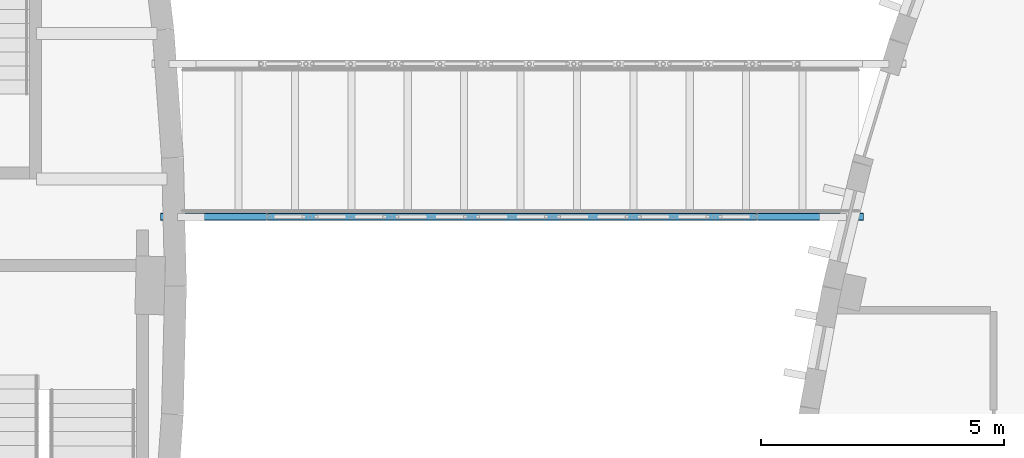
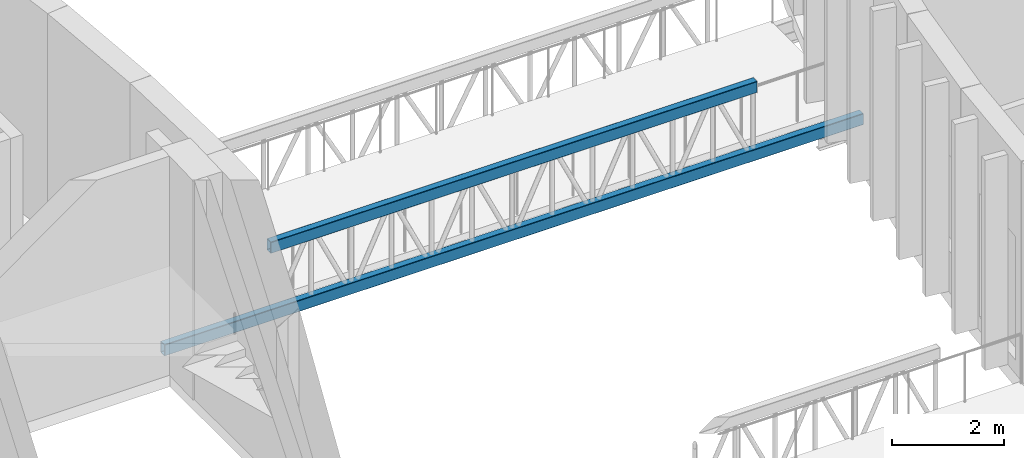
# One storey, part 32 of 93: 2 members.
"""IFC4 building model written with IfcOpenShell, lengths in metres."""

from ifc_helpers import new_model, si_unit, direction, frame, origin, origin_2d, place, context, subcontext, project, spatial, hollow_rectangle, extrude, material, material_profile, profile_set, type_object, element, save


model = new_model("IFC4")

# Units and contexts
model_context = context("Model", 3, precision=1e-05, world=origin(), true_north=direction((0.0, 1.0)))
body_context = subcontext(model_context, "Body", "Model", "MODEL_VIEW")
ifc_project = project(units=[si_unit("LENGTHUNIT", "METRE"), si_unit("AREAUNIT", "SQUARE_METRE"), si_unit("VOLUMEUNIT", "CUBIC_METRE"), si_unit("PLANEANGLEUNIT", "RADIAN"), si_unit("MASSUNIT", "GRAM", prefix="KILO")], contexts=[model_context])

# Site, building, storey
site_placement = place(None, origin())
site = spatial("IfcSite", under=ifc_project, at=site_placement, CompositionType="ELEMENT")
building_placement = place(site_placement, origin())
building = spatial("IfcBuilding", under=site, at=building_placement, Name="Tide Square Theatres", CompositionType="ELEMENT")
storey_placement = place(building_placement, frame((0.0, 0.0, 5.39990234375)))
storey = spatial("IfcBuildingStorey", under=building, at=storey_placement, Name="L01", CompositionType="ELEMENT", Elevation=5.39990234375)

# Members
ifc_material = material(Name="Steel ASTM A500 Grade C", Category="steel")
ifc_material_profile = material_profile(ifc_material, hollow_rectangle(XDim=0.14990234375, YDim=0.25, WallThickness=0.008056640625, InnerFilletRadius=0.008056640625, OuterFilletRadius=0.01611328125, at=origin_2d()))
ifc_profile_set = profile_set([ifc_material_profile], Name="Steel ASTM A500 Grade C")
member_type = type_object("IfcMemberType", Name="Steel chord RHS 250 x 150 x 8.0", PredefinedType="CHORD", material=ifc_profile_set)
member_1_placement = place(storey_placement, frame((119.270751953125, 56.425048828125, -0.27490234375), z_axis=(-1.0, 0.0, 0.0), x_axis=(0.0, -1.0, 0.0)))
element("IfcMember", 1, at=member_1_placement, inside=storey, type_object=member_type, Name="Bridge BR-E1 bottom chord", PredefinedType="CHORD", context=body_context, shape_type="SweptSolid", body=[
    extrude(hollow_rectangle(XDim=0.14990234375, YDim=0.25, WallThickness=0.008056640625, InnerFilletRadius=0.008056640625, OuterFilletRadius=0.01611328125, at=origin_2d()), origin(), (0.0, 0.0, 1.0), 14.470703125),
])
member_2_placement = place(storey_placement, frame((117.07080078125, 56.425048828125, 1.2001953125), z_axis=(-1.0, 0.0, 0.0), x_axis=(0.0, -1.0, 0.0)))
element("IfcMember", 2, at=member_2_placement, inside=storey, type_object=member_type, Name="Bridge BR-E1 top chord", PredefinedType="CHORD", context=body_context, shape_type="SweptSolid", body=[
    extrude(hollow_rectangle(XDim=0.14990234375, YDim=0.25, WallThickness=0.008056640625, InnerFilletRadius=0.008056640625, OuterFilletRadius=0.01611328125, at=origin_2d()), origin(), (0.0, 0.0, 1.0), 10.07080078125),
])

save(model, "model.ifc")
